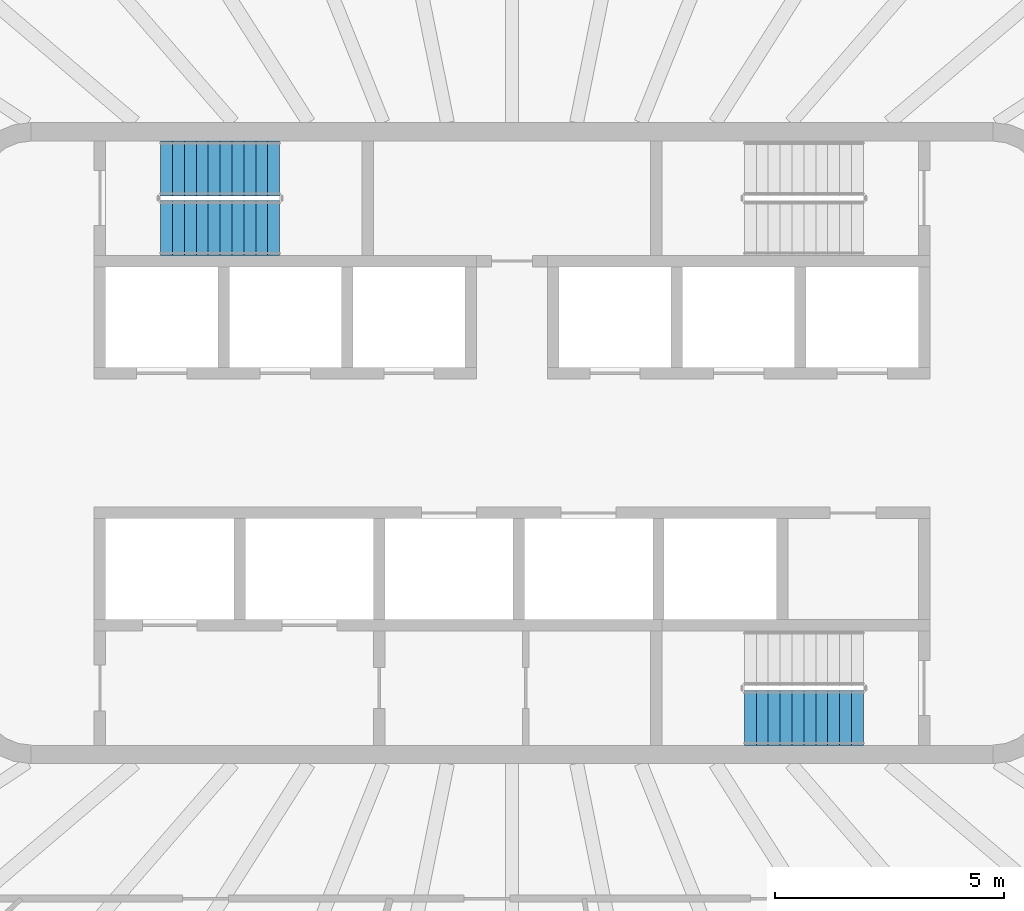
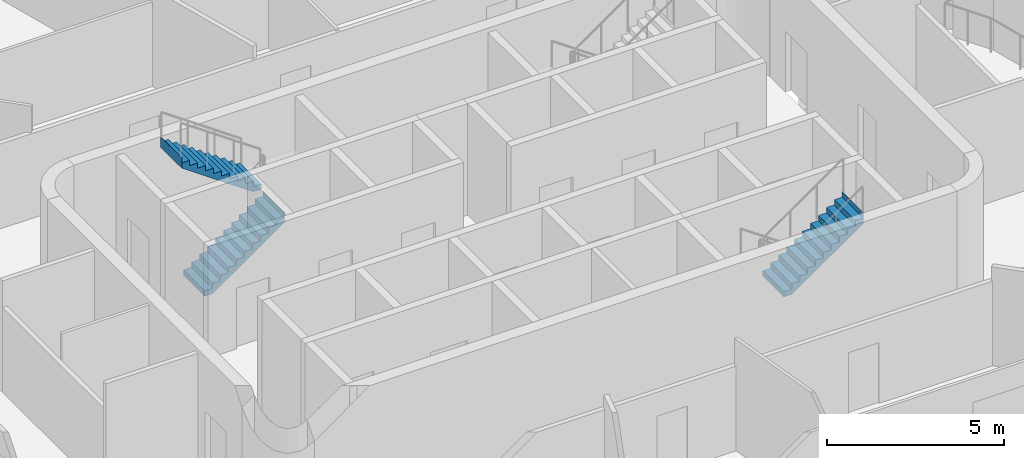
# One storey, part 11 of 17: 3 stair flights, 2 elements without a shape of their own.
"""IFC4 building model written with IfcOpenShell, lengths in metres."""

from ifc_helpers import new_model, si_unit, direction, frame, origin, place, context, subcontext, project, spatial, triangles, material, type_object, element, aggregate, save


model = new_model("IFC4")

# Units and contexts
model_context = context("Model", 3, precision=1e-05, world=origin(), true_north=direction((0.0, 1.0)))
body_context = subcontext(model_context, "Body", "Model", "MODEL_VIEW")
ifc_project = project(units=[si_unit("LENGTHUNIT", "METRE"), si_unit("AREAUNIT", "SQUARE_METRE"), si_unit("VOLUMEUNIT", "CUBIC_METRE"), si_unit("PLANEANGLEUNIT", "RADIAN"), si_unit("MASSUNIT", "GRAM", prefix="KILO")], contexts=[model_context])

# Site, building, storey
site_placement = place(None, origin())
site = spatial("IfcSite", under=ifc_project, at=site_placement, CompositionType="ELEMENT")
building_placement = place(site_placement, origin())
building = spatial("IfcBuilding", under=site, at=building_placement, Name="Sahrelin Media Tower", CompositionType="ELEMENT")
storey_placement = place(building_placement, frame((0.0, 0.0, 291.0)))
storey = spatial("IfcBuildingStorey", under=building, at=storey_placement, Name="L64", CompositionType="ELEMENT", Elevation=291.0)

# Stair, stair flights
ifc_material = material(Name="Concrete C40/50", Category="concrete")
stair_type = type_object("IfcStairType", Name="Exit stair 1200", PredefinedType="HALF_TURN_STAIR", material=ifc_material)
placement = place(storey_placement, origin())
stair_1 = element("IfcStair", 1, at=placement, inside=storey, type_object=stair_type, Name="L64 Exit stair ST1", PredefinedType="HALF_TURN_STAIR")
stair_flight_type = type_object("IfcStairFlightType", Name="Stair flight 1200", PredefinedType="STRAIGHT", material=ifc_material)
stair_flight_1_placement = place(storey_placement, frame((-7.675048828125, 4.699951171875, 0.0), z_axis=(0.0, 0.0, 1.0), x_axis=(1.0, 0.0, 0.0)))
stair_flight_1 = element("IfcStairFlight", 2, at=stair_flight_1_placement, type_object=stair_flight_type, Name="ST1 flight 1", NumberOfRisers=11, NumberOfTreads=10, PredefinedType="STRAIGHT", RiserHeight=0.181818182, TreadLength=0.26, context=body_context, shape_type="Tessellation", body=[
    triangles([(0.261474609375, 0.60009765625, 0.0), (0.261474609375, 0.300048828125, 0.0), (0.261474609375, 0.0, 0.0), (0.261474609375, -0.300048828125, 0.0), (0.261474609375, -0.60009765625, 0.0), (2.60009765625, 0.60009765625, 1.63525390625), (2.60009765625, 0.300048828125, 1.63525390625), (2.60009765625, 0.0, 1.63525390625), (2.60009765625, -0.300048828125, 1.63525390625), (2.60009765625, -0.60009765625, 1.63525390625), (2.60009765625, 0.60009765625, 2.0), (2.60009765625, 0.300048828125, 2.0), (2.60009765625, 0.0, 2.0), (2.60009765625, -0.300048828125, 2.0), (2.60009765625, -0.60009765625, 2.0), (2.597900390625, 0.60009765625, 2.0), (2.597900390625, 0.300048828125, 2.0), (2.597900390625, 0.0, 2.0), (2.597900390625, -0.300048828125, 2.0), (2.597900390625, -0.60009765625, 2.0), (2.597900390625, 0.60009765625, 1.818115234375), (2.597900390625, 0.300048828125, 1.818115234375), (2.597900390625, 0.0, 1.818115234375), (2.597900390625, -0.300048828125, 1.818115234375), (2.597900390625, -0.60009765625, 1.818115234375), (2.340087890625, 0.60009765625, 1.818115234375), (2.340087890625, 0.300048828125, 1.818115234375), (2.340087890625, 0.0, 1.818115234375), (2.340087890625, -0.300048828125, 1.818115234375), (2.340087890625, -0.60009765625, 1.818115234375), (2.340087890625, 0.60009765625, 1.636474609375), (2.340087890625, 0.300048828125, 1.636474609375), (2.340087890625, 0.0, 1.636474609375), (2.340087890625, -0.300048828125, 1.636474609375), (2.340087890625, -0.60009765625, 1.636474609375), (2.080078125, 0.60009765625, 1.636474609375), (2.080078125, 0.300048828125, 1.636474609375), (2.080078125, 0.0, 1.636474609375), (2.080078125, -0.300048828125, 1.636474609375), (2.080078125, -0.60009765625, 1.636474609375), (2.080078125, 0.60009765625, 1.45458984375), (2.080078125, 0.300048828125, 1.45458984375), (2.080078125, 0.0, 1.45458984375), (2.080078125, -0.300048828125, 1.45458984375), (2.080078125, -0.60009765625, 1.45458984375), (1.820068359375, 0.60009765625, 1.45458984375), (1.820068359375, 0.300048828125, 1.45458984375), (1.820068359375, 0.0, 1.45458984375), (1.820068359375, -0.300048828125, 1.45458984375), (1.820068359375, -0.60009765625, 1.45458984375), (1.820068359375, 0.60009765625, 1.272705078125), (1.820068359375, 0.300048828125, 1.272705078125), (1.820068359375, 0.0, 1.272705078125), (1.820068359375, -0.300048828125, 1.272705078125), (1.820068359375, -0.60009765625, 1.272705078125), (1.56005859375, 0.60009765625, 1.272705078125), (1.56005859375, 0.300048828125, 1.272705078125), (1.56005859375, 0.0, 1.272705078125), (1.56005859375, -0.300048828125, 1.272705078125), (1.56005859375, -0.60009765625, 1.272705078125), (1.56005859375, 0.60009765625, 1.0908203125), (1.56005859375, 0.300048828125, 1.0908203125), (1.56005859375, 0.0, 1.0908203125), (1.56005859375, -0.300048828125, 1.0908203125), (1.56005859375, -0.60009765625, 1.0908203125), (1.300048828125, 0.60009765625, 1.0908203125), (1.300048828125, 0.300048828125, 1.0908203125), (1.300048828125, 0.0, 1.0908203125), (1.300048828125, -0.300048828125, 1.0908203125), (1.300048828125, -0.60009765625, 1.0908203125), (1.300048828125, 0.60009765625, 0.9091796875), (1.300048828125, 0.300048828125, 0.9091796875), (1.300048828125, 0.0, 0.9091796875), (1.300048828125, -0.300048828125, 0.9091796875), (1.300048828125, -0.60009765625, 0.9091796875), (1.0400390625, 0.60009765625, 0.9091796875), (1.0400390625, 0.300048828125, 0.9091796875), (1.0400390625, 0.0, 0.9091796875), (1.0400390625, -0.300048828125, 0.9091796875), (1.0400390625, -0.60009765625, 0.9091796875), (1.0400390625, 0.60009765625, 0.727294921875), (1.0400390625, 0.300048828125, 0.727294921875), (1.0400390625, 0.0, 0.727294921875), (1.0400390625, -0.300048828125, 0.727294921875), (1.0400390625, -0.60009765625, 0.727294921875), (0.780029296875, 0.60009765625, 0.727294921875), (0.780029296875, 0.300048828125, 0.727294921875), (0.780029296875, 0.0, 0.727294921875), (0.780029296875, -0.300048828125, 0.727294921875), (0.780029296875, -0.60009765625, 0.727294921875), (0.780029296875, 0.60009765625, 0.54541015625), (0.780029296875, 0.300048828125, 0.54541015625), (0.780029296875, 0.0, 0.54541015625), (0.780029296875, -0.300048828125, 0.54541015625), (0.780029296875, -0.60009765625, 0.54541015625), (0.52001953125, 0.60009765625, 0.54541015625), (0.52001953125, 0.300048828125, 0.54541015625), (0.52001953125, 0.0, 0.54541015625), (0.52001953125, -0.300048828125, 0.54541015625), (0.52001953125, -0.60009765625, 0.54541015625), (0.52001953125, 0.60009765625, 0.363525390625), (0.52001953125, 0.300048828125, 0.363525390625), (0.52001953125, 0.0, 0.363525390625), (0.52001953125, -0.300048828125, 0.363525390625), (0.52001953125, -0.60009765625, 0.363525390625), (0.260009765625, 0.60009765625, 0.363525390625), (0.260009765625, 0.300048828125, 0.363525390625), (0.260009765625, 0.0, 0.363525390625), (0.260009765625, -0.300048828125, 0.363525390625), (0.260009765625, -0.60009765625, 0.363525390625), (0.260009765625, 0.60009765625, 0.181884765625), (0.260009765625, 0.300048828125, 0.181884765625), (0.260009765625, 0.0, 0.181884765625), (0.260009765625, -0.300048828125, 0.181884765625), (0.260009765625, -0.60009765625, 0.181884765625), (0.0, 0.60009765625, 0.181884765625), (0.0, 0.300048828125, 0.181884765625), (0.0, 0.0, 0.181884765625), (0.0, -0.300048828125, 0.181884765625), (0.0, -0.60009765625, 0.181884765625), (0.0, 0.60009765625, 0.0), (0.0, 0.300048828125, 0.0), (0.0, 0.0, 0.0), (0.0, -0.300048828125, 0.0), (0.0, -0.60009765625, 0.0)], [[1, 6, 7], [1, 7, 2], [2, 7, 8], [2, 8, 3], [3, 8, 9], [3, 9, 4], [4, 9, 10], [4, 10, 5], [6, 11, 12], [6, 12, 7], [7, 12, 13], [7, 13, 8], [8, 13, 14], [8, 14, 9], [9, 14, 15], [9, 15, 10], [11, 16, 17], [11, 17, 12], [12, 17, 18], [12, 18, 13], [13, 18, 19], [13, 19, 14], [14, 19, 20], [14, 20, 15], [16, 21, 22], [16, 22, 17], [17, 22, 23], [17, 23, 18], [18, 23, 24], [18, 24, 19], [19, 24, 25], [19, 25, 20], [21, 26, 27], [21, 27, 22], [22, 27, 28], [22, 28, 23], [23, 28, 29], [23, 29, 24], [24, 29, 30], [24, 30, 25], [26, 31, 32], [26, 32, 27], [27, 32, 33], [27, 33, 28], [28, 33, 34], [28, 34, 29], [29, 34, 35], [29, 35, 30], [31, 36, 37], [31, 37, 32], [32, 37, 38], [32, 38, 33], [33, 38, 39], [33, 39, 34], [34, 39, 40], [34, 40, 35], [36, 41, 42], [36, 42, 37], [37, 42, 43], [37, 43, 38], [38, 43, 44], [38, 44, 39], [39, 44, 45], [39, 45, 40], [41, 46, 47], [41, 47, 42], [42, 47, 48], [42, 48, 43], [43, 48, 49], [43, 49, 44], [44, 49, 50], [44, 50, 45], [46, 51, 52], [46, 52, 47], [47, 52, 53], [47, 53, 48], [48, 53, 54], [48, 54, 49], [49, 54, 55], [49, 55, 50], [51, 56, 57], [51, 57, 52], [52, 57, 58], [52, 58, 53], [53, 58, 59], [53, 59, 54], [54, 59, 60], [54, 60, 55], [56, 61, 62], [56, 62, 57], [57, 62, 63], [57, 63, 58], [58, 63, 64], [58, 64, 59], [59, 64, 65], [59, 65, 60], [61, 66, 67], [61, 67, 62], [62, 67, 68], [62, 68, 63], [63, 68, 69], [63, 69, 64], [64, 69, 70], [64, 70, 65], [66, 71, 72], [66, 72, 67], [67, 72, 73], [67, 73, 68], [68, 73, 74], [68, 74, 69], [69, 74, 75], [69, 75, 70], [71, 76, 77], [71, 77, 72], [72, 77, 78], [72, 78, 73], [73, 78, 79], [73, 79, 74], [74, 79, 80], [74, 80, 75], [76, 81, 82], [76, 82, 77], [77, 82, 83], [77, 83, 78], [78, 83, 84], [78, 84, 79], [79, 84, 85], [79, 85, 80], [81, 86, 87], [81, 87, 82], [82, 87, 88], [82, 88, 83], [83, 88, 89], [83, 89, 84], [84, 89, 90], [84, 90, 85], [86, 91, 92], [86, 92, 87], [87, 92, 93], [87, 93, 88], [88, 93, 94], [88, 94, 89], [89, 94, 95], [89, 95, 90], [91, 96, 97], [91, 97, 92], [92, 97, 98], [92, 98, 93], [93, 98, 99], [93, 99, 94], [94, 99, 100], [94, 100, 95], [96, 101, 102], [96, 102, 97], [97, 102, 103], [97, 103, 98], [98, 103, 104], [98, 104, 99], [99, 104, 105], [99, 105, 100], [101, 106, 107], [101, 107, 102], [102, 107, 108], [102, 108, 103], [103, 108, 109], [103, 109, 104], [104, 109, 110], [104, 110, 105], [106, 111, 112], [106, 112, 107], [107, 112, 113], [107, 113, 108], [108, 113, 114], [108, 114, 109], [109, 114, 115], [109, 115, 110], [111, 116, 117], [111, 117, 112], [112, 117, 118], [112, 118, 113], [113, 118, 119], [113, 119, 114], [114, 119, 120], [114, 120, 115], [116, 121, 122], [116, 122, 117], [117, 122, 123], [117, 123, 118], [118, 123, 124], [118, 124, 119], [119, 124, 125], [119, 125, 120], [121, 1, 2], [121, 2, 122], [122, 2, 3], [122, 3, 123], [123, 3, 4], [123, 4, 124], [124, 4, 5], [124, 5, 125], [115, 120, 125], [111, 121, 116], [115, 105, 110], [111, 106, 101], [105, 95, 100], [101, 96, 91], [95, 85, 90], [91, 86, 81], [85, 75, 80], [81, 76, 71], [75, 65, 70], [71, 66, 61], [65, 55, 60], [61, 56, 51], [55, 45, 50], [51, 46, 41], [45, 35, 40], [41, 36, 31], [35, 25, 30], [31, 26, 21], [25, 15, 20], [21, 16, 11], [125, 5, 115], [121, 111, 1], [25, 10, 15], [21, 11, 6], [105, 115, 5], [101, 1, 111], [35, 10, 25], [31, 21, 6], [95, 105, 5], [91, 1, 101], [45, 10, 35], [41, 31, 6], [85, 95, 5], [81, 1, 91], [55, 10, 45], [51, 41, 6], [75, 85, 5], [71, 1, 81], [65, 10, 55], [61, 51, 6], [5, 10, 75], [1, 71, 6], [75, 10, 65], [71, 61, 6]], closed=True),
])
stair_flight_2_placement = place(storey_placement, frame((-5.074951171875, 6.0, 2.0), z_axis=(0.0, 0.0, 1.0), x_axis=(-1.0, 0.0, 0.0)))
stair_flight_2 = element("IfcStairFlight", 3, at=stair_flight_2_placement, type_object=stair_flight_type, Name="ST1 flight 2", NumberOfRisers=11, NumberOfTreads=10, PredefinedType="STRAIGHT", RiserHeight=0.181818182, TreadLength=0.26, context=body_context, shape_type="Tessellation", body=[
    triangles([(0.261474609375, 0.60009765625, 0.0), (0.261474609375, 0.300048828125, 0.0), (0.261474609375, 0.0, 0.0), (0.261474609375, -0.300048828125, 0.0), (0.261474609375, -0.60009765625, 0.0), (2.60009765625, 0.60009765625, 1.63525390625), (2.60009765625, 0.300048828125, 1.63525390625), (2.60009765625, 0.0, 1.63525390625), (2.60009765625, -0.300048828125, 1.63525390625), (2.60009765625, -0.60009765625, 1.63525390625), (2.60009765625, 0.60009765625, 2.0), (2.60009765625, 0.300048828125, 2.0), (2.60009765625, 0.0, 2.0), (2.60009765625, -0.300048828125, 2.0), (2.60009765625, -0.60009765625, 2.0), (2.597900390625, 0.60009765625, 2.0), (2.597900390625, 0.300048828125, 2.0), (2.597900390625, 0.0, 2.0), (2.597900390625, -0.300048828125, 2.0), (2.597900390625, -0.60009765625, 2.0), (2.597900390625, 0.60009765625, 1.818115234375), (2.597900390625, 0.300048828125, 1.818115234375), (2.597900390625, 0.0, 1.818115234375), (2.597900390625, -0.300048828125, 1.818115234375), (2.597900390625, -0.60009765625, 1.818115234375), (2.340087890625, 0.60009765625, 1.818115234375), (2.340087890625, 0.300048828125, 1.818115234375), (2.340087890625, 0.0, 1.818115234375), (2.340087890625, -0.300048828125, 1.818115234375), (2.340087890625, -0.60009765625, 1.818115234375), (2.340087890625, 0.60009765625, 1.636474609375), (2.340087890625, 0.300048828125, 1.636474609375), (2.340087890625, 0.0, 1.636474609375), (2.340087890625, -0.300048828125, 1.636474609375), (2.340087890625, -0.60009765625, 1.636474609375), (2.080078125, 0.60009765625, 1.636474609375), (2.080078125, 0.300048828125, 1.636474609375), (2.080078125, 0.0, 1.636474609375), (2.080078125, -0.300048828125, 1.636474609375), (2.080078125, -0.60009765625, 1.636474609375), (2.080078125, 0.60009765625, 1.45458984375), (2.080078125, 0.300048828125, 1.45458984375), (2.080078125, 0.0, 1.45458984375), (2.080078125, -0.300048828125, 1.45458984375), (2.080078125, -0.60009765625, 1.45458984375), (1.820068359375, 0.60009765625, 1.45458984375), (1.820068359375, 0.300048828125, 1.45458984375), (1.820068359375, 0.0, 1.45458984375), (1.820068359375, -0.300048828125, 1.45458984375), (1.820068359375, -0.60009765625, 1.45458984375), (1.820068359375, 0.60009765625, 1.272705078125), (1.820068359375, 0.300048828125, 1.272705078125), (1.820068359375, 0.0, 1.272705078125), (1.820068359375, -0.300048828125, 1.272705078125), (1.820068359375, -0.60009765625, 1.272705078125), (1.56005859375, 0.60009765625, 1.272705078125), (1.56005859375, 0.300048828125, 1.272705078125), (1.56005859375, 0.0, 1.272705078125), (1.56005859375, -0.300048828125, 1.272705078125), (1.56005859375, -0.60009765625, 1.272705078125), (1.56005859375, 0.60009765625, 1.0908203125), (1.56005859375, 0.300048828125, 1.0908203125), (1.56005859375, 0.0, 1.0908203125), (1.56005859375, -0.300048828125, 1.0908203125), (1.56005859375, -0.60009765625, 1.0908203125), (1.300048828125, 0.60009765625, 1.0908203125), (1.300048828125, 0.300048828125, 1.0908203125), (1.300048828125, 0.0, 1.0908203125), (1.300048828125, -0.300048828125, 1.0908203125), (1.300048828125, -0.60009765625, 1.0908203125), (1.300048828125, 0.60009765625, 0.9091796875), (1.300048828125, 0.300048828125, 0.9091796875), (1.300048828125, 0.0, 0.9091796875), (1.300048828125, -0.300048828125, 0.9091796875), (1.300048828125, -0.60009765625, 0.9091796875), (1.0400390625, 0.60009765625, 0.9091796875), (1.0400390625, 0.300048828125, 0.9091796875), (1.0400390625, 0.0, 0.9091796875), (1.0400390625, -0.300048828125, 0.9091796875), (1.0400390625, -0.60009765625, 0.9091796875), (1.0400390625, 0.60009765625, 0.727294921875), (1.0400390625, 0.300048828125, 0.727294921875), (1.0400390625, 0.0, 0.727294921875), (1.0400390625, -0.300048828125, 0.727294921875), (1.0400390625, -0.60009765625, 0.727294921875), (0.780029296875, 0.60009765625, 0.727294921875), (0.780029296875, 0.300048828125, 0.727294921875), (0.780029296875, 0.0, 0.727294921875), (0.780029296875, -0.300048828125, 0.727294921875), (0.780029296875, -0.60009765625, 0.727294921875), (0.780029296875, 0.60009765625, 0.54541015625), (0.780029296875, 0.300048828125, 0.54541015625), (0.780029296875, 0.0, 0.54541015625), (0.780029296875, -0.300048828125, 0.54541015625), (0.780029296875, -0.60009765625, 0.54541015625), (0.52001953125, 0.60009765625, 0.54541015625), (0.52001953125, 0.300048828125, 0.54541015625), (0.52001953125, 0.0, 0.54541015625), (0.52001953125, -0.300048828125, 0.54541015625), (0.52001953125, -0.60009765625, 0.54541015625), (0.52001953125, 0.60009765625, 0.363525390625), (0.52001953125, 0.300048828125, 0.363525390625), (0.52001953125, 0.0, 0.363525390625), (0.52001953125, -0.300048828125, 0.363525390625), (0.52001953125, -0.60009765625, 0.363525390625), (0.260009765625, 0.60009765625, 0.363525390625), (0.260009765625, 0.300048828125, 0.363525390625), (0.260009765625, 0.0, 0.363525390625), (0.260009765625, -0.300048828125, 0.363525390625), (0.260009765625, -0.60009765625, 0.363525390625), (0.260009765625, 0.60009765625, 0.181884765625), (0.260009765625, 0.300048828125, 0.181884765625), (0.260009765625, 0.0, 0.181884765625), (0.260009765625, -0.300048828125, 0.181884765625), (0.260009765625, -0.60009765625, 0.181884765625), (0.0, 0.60009765625, 0.181884765625), (0.0, 0.300048828125, 0.181884765625), (0.0, 0.0, 0.181884765625), (0.0, -0.300048828125, 0.181884765625), (0.0, -0.60009765625, 0.181884765625), (0.0, 0.60009765625, 0.0), (0.0, 0.300048828125, 0.0), (0.0, 0.0, 0.0), (0.0, -0.300048828125, 0.0), (0.0, -0.60009765625, 0.0)], [[1, 6, 7], [1, 7, 2], [2, 7, 8], [2, 8, 3], [3, 8, 9], [3, 9, 4], [4, 9, 10], [4, 10, 5], [6, 11, 12], [6, 12, 7], [7, 12, 13], [7, 13, 8], [8, 13, 14], [8, 14, 9], [9, 14, 15], [9, 15, 10], [11, 16, 17], [11, 17, 12], [12, 17, 18], [12, 18, 13], [13, 18, 19], [13, 19, 14], [14, 19, 20], [14, 20, 15], [16, 21, 22], [16, 22, 17], [17, 22, 23], [17, 23, 18], [18, 23, 24], [18, 24, 19], [19, 24, 25], [19, 25, 20], [21, 26, 27], [21, 27, 22], [22, 27, 28], [22, 28, 23], [23, 28, 29], [23, 29, 24], [24, 29, 30], [24, 30, 25], [26, 31, 32], [26, 32, 27], [27, 32, 33], [27, 33, 28], [28, 33, 34], [28, 34, 29], [29, 34, 35], [29, 35, 30], [31, 36, 37], [31, 37, 32], [32, 37, 38], [32, 38, 33], [33, 38, 39], [33, 39, 34], [34, 39, 40], [34, 40, 35], [36, 41, 42], [36, 42, 37], [37, 42, 43], [37, 43, 38], [38, 43, 44], [38, 44, 39], [39, 44, 45], [39, 45, 40], [41, 46, 47], [41, 47, 42], [42, 47, 48], [42, 48, 43], [43, 48, 49], [43, 49, 44], [44, 49, 50], [44, 50, 45], [46, 51, 52], [46, 52, 47], [47, 52, 53], [47, 53, 48], [48, 53, 54], [48, 54, 49], [49, 54, 55], [49, 55, 50], [51, 56, 57], [51, 57, 52], [52, 57, 58], [52, 58, 53], [53, 58, 59], [53, 59, 54], [54, 59, 60], [54, 60, 55], [56, 61, 62], [56, 62, 57], [57, 62, 63], [57, 63, 58], [58, 63, 64], [58, 64, 59], [59, 64, 65], [59, 65, 60], [61, 66, 67], [61, 67, 62], [62, 67, 68], [62, 68, 63], [63, 68, 69], [63, 69, 64], [64, 69, 70], [64, 70, 65], [66, 71, 72], [66, 72, 67], [67, 72, 73], [67, 73, 68], [68, 73, 74], [68, 74, 69], [69, 74, 75], [69, 75, 70], [71, 76, 77], [71, 77, 72], [72, 77, 78], [72, 78, 73], [73, 78, 79], [73, 79, 74], [74, 79, 80], [74, 80, 75], [76, 81, 82], [76, 82, 77], [77, 82, 83], [77, 83, 78], [78, 83, 84], [78, 84, 79], [79, 84, 85], [79, 85, 80], [81, 86, 87], [81, 87, 82], [82, 87, 88], [82, 88, 83], [83, 88, 89], [83, 89, 84], [84, 89, 90], [84, 90, 85], [86, 91, 92], [86, 92, 87], [87, 92, 93], [87, 93, 88], [88, 93, 94], [88, 94, 89], [89, 94, 95], [89, 95, 90], [91, 96, 97], [91, 97, 92], [92, 97, 98], [92, 98, 93], [93, 98, 99], [93, 99, 94], [94, 99, 100], [94, 100, 95], [96, 101, 102], [96, 102, 97], [97, 102, 103], [97, 103, 98], [98, 103, 104], [98, 104, 99], [99, 104, 105], [99, 105, 100], [101, 106, 107], [101, 107, 102], [102, 107, 108], [102, 108, 103], [103, 108, 109], [103, 109, 104], [104, 109, 110], [104, 110, 105], [106, 111, 112], [106, 112, 107], [107, 112, 113], [107, 113, 108], [108, 113, 114], [108, 114, 109], [109, 114, 115], [109, 115, 110], [111, 116, 117], [111, 117, 112], [112, 117, 118], [112, 118, 113], [113, 118, 119], [113, 119, 114], [114, 119, 120], [114, 120, 115], [116, 121, 122], [116, 122, 117], [117, 122, 123], [117, 123, 118], [118, 123, 124], [118, 124, 119], [119, 124, 125], [119, 125, 120], [121, 1, 2], [121, 2, 122], [122, 2, 3], [122, 3, 123], [123, 3, 4], [123, 4, 124], [124, 4, 5], [124, 5, 125], [115, 120, 125], [111, 121, 116], [115, 105, 110], [111, 106, 101], [105, 95, 100], [101, 96, 91], [95, 85, 90], [91, 86, 81], [85, 75, 80], [81, 76, 71], [75, 65, 70], [71, 66, 61], [65, 55, 60], [61, 56, 51], [55, 45, 50], [51, 46, 41], [45, 35, 40], [41, 36, 31], [35, 25, 30], [31, 26, 21], [25, 15, 20], [21, 16, 11], [125, 5, 115], [121, 111, 1], [25, 10, 15], [21, 11, 6], [105, 115, 5], [101, 1, 111], [35, 10, 25], [31, 21, 6], [95, 105, 5], [91, 1, 101], [45, 10, 35], [41, 31, 6], [85, 95, 5], [81, 1, 91], [55, 10, 45], [51, 41, 6], [75, 85, 5], [71, 1, 81], [65, 10, 55], [61, 51, 6], [5, 10, 75], [1, 71, 6], [75, 10, 65], [71, 61, 6]], closed=True),
])
aggregate(stair_1, [stair_flight_1, stair_flight_2])

# Stair, stair flight
stair_2 = element("IfcStair", 4, at=placement, inside=storey, type_object=stair_type, Name="L64 Exit stair ST2", PredefinedType="HALF_TURN_STAIR")
stair_flight_3_placement = place(storey_placement, frame((5.074951171875, -6.0, 2.0), z_axis=(0.0, 0.0, 1.0), x_axis=(1.0, 0.0, 0.0)))
stair_flight_3 = element("IfcStairFlight", 5, at=stair_flight_3_placement, type_object=stair_flight_type, Name="ST2 flight 2", NumberOfRisers=11, NumberOfTreads=10, PredefinedType="STRAIGHT", RiserHeight=0.181818182, TreadLength=0.26, context=body_context, shape_type="Tessellation", body=[
    triangles([(0.261474609375, 0.60009765625, 0.0), (0.261474609375, 0.300048828125, 0.0), (0.261474609375, 0.0, 0.0), (0.261474609375, -0.300048828125, 0.0), (0.261474609375, -0.60009765625, 0.0), (2.60009765625, 0.60009765625, 1.63525390625), (2.60009765625, 0.300048828125, 1.63525390625), (2.60009765625, 0.0, 1.63525390625), (2.60009765625, -0.300048828125, 1.63525390625), (2.60009765625, -0.60009765625, 1.63525390625), (2.60009765625, 0.60009765625, 2.0), (2.60009765625, 0.300048828125, 2.0), (2.60009765625, 0.0, 2.0), (2.60009765625, -0.300048828125, 2.0), (2.60009765625, -0.60009765625, 2.0), (2.597900390625, 0.60009765625, 2.0), (2.597900390625, 0.300048828125, 2.0), (2.597900390625, 0.0, 2.0), (2.597900390625, -0.300048828125, 2.0), (2.597900390625, -0.60009765625, 2.0), (2.597900390625, 0.60009765625, 1.818115234375), (2.597900390625, 0.300048828125, 1.818115234375), (2.597900390625, 0.0, 1.818115234375), (2.597900390625, -0.300048828125, 1.818115234375), (2.597900390625, -0.60009765625, 1.818115234375), (2.340087890625, 0.60009765625, 1.818115234375), (2.340087890625, 0.300048828125, 1.818115234375), (2.340087890625, 0.0, 1.818115234375), (2.340087890625, -0.300048828125, 1.818115234375), (2.340087890625, -0.60009765625, 1.818115234375), (2.340087890625, 0.60009765625, 1.636474609375), (2.340087890625, 0.300048828125, 1.636474609375), (2.340087890625, 0.0, 1.636474609375), (2.340087890625, -0.300048828125, 1.636474609375), (2.340087890625, -0.60009765625, 1.636474609375), (2.080078125, 0.60009765625, 1.636474609375), (2.080078125, 0.300048828125, 1.636474609375), (2.080078125, 0.0, 1.636474609375), (2.080078125, -0.300048828125, 1.636474609375), (2.080078125, -0.60009765625, 1.636474609375), (2.080078125, 0.60009765625, 1.45458984375), (2.080078125, 0.300048828125, 1.45458984375), (2.080078125, 0.0, 1.45458984375), (2.080078125, -0.300048828125, 1.45458984375), (2.080078125, -0.60009765625, 1.45458984375), (1.820068359375, 0.60009765625, 1.45458984375), (1.820068359375, 0.300048828125, 1.45458984375), (1.820068359375, 0.0, 1.45458984375), (1.820068359375, -0.300048828125, 1.45458984375), (1.820068359375, -0.60009765625, 1.45458984375), (1.820068359375, 0.60009765625, 1.272705078125), (1.820068359375, 0.300048828125, 1.272705078125), (1.820068359375, 0.0, 1.272705078125), (1.820068359375, -0.300048828125, 1.272705078125), (1.820068359375, -0.60009765625, 1.272705078125), (1.56005859375, 0.60009765625, 1.272705078125), (1.56005859375, 0.300048828125, 1.272705078125), (1.56005859375, 0.0, 1.272705078125), (1.56005859375, -0.300048828125, 1.272705078125), (1.56005859375, -0.60009765625, 1.272705078125), (1.56005859375, 0.60009765625, 1.0908203125), (1.56005859375, 0.300048828125, 1.0908203125), (1.56005859375, 0.0, 1.0908203125), (1.56005859375, -0.300048828125, 1.0908203125), (1.56005859375, -0.60009765625, 1.0908203125), (1.300048828125, 0.60009765625, 1.0908203125), (1.300048828125, 0.300048828125, 1.0908203125), (1.300048828125, 0.0, 1.0908203125), (1.300048828125, -0.300048828125, 1.0908203125), (1.300048828125, -0.60009765625, 1.0908203125), (1.300048828125, 0.60009765625, 0.9091796875), (1.300048828125, 0.300048828125, 0.9091796875), (1.300048828125, 0.0, 0.9091796875), (1.300048828125, -0.300048828125, 0.9091796875), (1.300048828125, -0.60009765625, 0.9091796875), (1.0400390625, 0.60009765625, 0.9091796875), (1.0400390625, 0.300048828125, 0.9091796875), (1.0400390625, 0.0, 0.9091796875), (1.0400390625, -0.300048828125, 0.9091796875), (1.0400390625, -0.60009765625, 0.9091796875), (1.0400390625, 0.60009765625, 0.727294921875), (1.0400390625, 0.300048828125, 0.727294921875), (1.0400390625, 0.0, 0.727294921875), (1.0400390625, -0.300048828125, 0.727294921875), (1.0400390625, -0.60009765625, 0.727294921875), (0.780029296875, 0.60009765625, 0.727294921875), (0.780029296875, 0.300048828125, 0.727294921875), (0.780029296875, 0.0, 0.727294921875), (0.780029296875, -0.300048828125, 0.727294921875), (0.780029296875, -0.60009765625, 0.727294921875), (0.780029296875, 0.60009765625, 0.54541015625), (0.780029296875, 0.300048828125, 0.54541015625), (0.780029296875, 0.0, 0.54541015625), (0.780029296875, -0.300048828125, 0.54541015625), (0.780029296875, -0.60009765625, 0.54541015625), (0.52001953125, 0.60009765625, 0.54541015625), (0.52001953125, 0.300048828125, 0.54541015625), (0.52001953125, 0.0, 0.54541015625), (0.52001953125, -0.300048828125, 0.54541015625), (0.52001953125, -0.60009765625, 0.54541015625), (0.52001953125, 0.60009765625, 0.363525390625), (0.52001953125, 0.300048828125, 0.363525390625), (0.52001953125, 0.0, 0.363525390625), (0.52001953125, -0.300048828125, 0.363525390625), (0.52001953125, -0.60009765625, 0.363525390625), (0.260009765625, 0.60009765625, 0.363525390625), (0.260009765625, 0.300048828125, 0.363525390625), (0.260009765625, 0.0, 0.363525390625), (0.260009765625, -0.300048828125, 0.363525390625), (0.260009765625, -0.60009765625, 0.363525390625), (0.260009765625, 0.60009765625, 0.181884765625), (0.260009765625, 0.300048828125, 0.181884765625), (0.260009765625, 0.0, 0.181884765625), (0.260009765625, -0.300048828125, 0.181884765625), (0.260009765625, -0.60009765625, 0.181884765625), (0.0, 0.60009765625, 0.181884765625), (0.0, 0.300048828125, 0.181884765625), (0.0, 0.0, 0.181884765625), (0.0, -0.300048828125, 0.181884765625), (0.0, -0.60009765625, 0.181884765625), (0.0, 0.60009765625, 0.0), (0.0, 0.300048828125, 0.0), (0.0, 0.0, 0.0), (0.0, -0.300048828125, 0.0), (0.0, -0.60009765625, 0.0)], [[1, 6, 7], [1, 7, 2], [2, 7, 8], [2, 8, 3], [3, 8, 9], [3, 9, 4], [4, 9, 10], [4, 10, 5], [6, 11, 12], [6, 12, 7], [7, 12, 13], [7, 13, 8], [8, 13, 14], [8, 14, 9], [9, 14, 15], [9, 15, 10], [11, 16, 17], [11, 17, 12], [12, 17, 18], [12, 18, 13], [13, 18, 19], [13, 19, 14], [14, 19, 20], [14, 20, 15], [16, 21, 22], [16, 22, 17], [17, 22, 23], [17, 23, 18], [18, 23, 24], [18, 24, 19], [19, 24, 25], [19, 25, 20], [21, 26, 27], [21, 27, 22], [22, 27, 28], [22, 28, 23], [23, 28, 29], [23, 29, 24], [24, 29, 30], [24, 30, 25], [26, 31, 32], [26, 32, 27], [27, 32, 33], [27, 33, 28], [28, 33, 34], [28, 34, 29], [29, 34, 35], [29, 35, 30], [31, 36, 37], [31, 37, 32], [32, 37, 38], [32, 38, 33], [33, 38, 39], [33, 39, 34], [34, 39, 40], [34, 40, 35], [36, 41, 42], [36, 42, 37], [37, 42, 43], [37, 43, 38], [38, 43, 44], [38, 44, 39], [39, 44, 45], [39, 45, 40], [41, 46, 47], [41, 47, 42], [42, 47, 48], [42, 48, 43], [43, 48, 49], [43, 49, 44], [44, 49, 50], [44, 50, 45], [46, 51, 52], [46, 52, 47], [47, 52, 53], [47, 53, 48], [48, 53, 54], [48, 54, 49], [49, 54, 55], [49, 55, 50], [51, 56, 57], [51, 57, 52], [52, 57, 58], [52, 58, 53], [53, 58, 59], [53, 59, 54], [54, 59, 60], [54, 60, 55], [56, 61, 62], [56, 62, 57], [57, 62, 63], [57, 63, 58], [58, 63, 64], [58, 64, 59], [59, 64, 65], [59, 65, 60], [61, 66, 67], [61, 67, 62], [62, 67, 68], [62, 68, 63], [63, 68, 69], [63, 69, 64], [64, 69, 70], [64, 70, 65], [66, 71, 72], [66, 72, 67], [67, 72, 73], [67, 73, 68], [68, 73, 74], [68, 74, 69], [69, 74, 75], [69, 75, 70], [71, 76, 77], [71, 77, 72], [72, 77, 78], [72, 78, 73], [73, 78, 79], [73, 79, 74], [74, 79, 80], [74, 80, 75], [76, 81, 82], [76, 82, 77], [77, 82, 83], [77, 83, 78], [78, 83, 84], [78, 84, 79], [79, 84, 85], [79, 85, 80], [81, 86, 87], [81, 87, 82], [82, 87, 88], [82, 88, 83], [83, 88, 89], [83, 89, 84], [84, 89, 90], [84, 90, 85], [86, 91, 92], [86, 92, 87], [87, 92, 93], [87, 93, 88], [88, 93, 94], [88, 94, 89], [89, 94, 95], [89, 95, 90], [91, 96, 97], [91, 97, 92], [92, 97, 98], [92, 98, 93], [93, 98, 99], [93, 99, 94], [94, 99, 100], [94, 100, 95], [96, 101, 102], [96, 102, 97], [97, 102, 103], [97, 103, 98], [98, 103, 104], [98, 104, 99], [99, 104, 105], [99, 105, 100], [101, 106, 107], [101, 107, 102], [102, 107, 108], [102, 108, 103], [103, 108, 109], [103, 109, 104], [104, 109, 110], [104, 110, 105], [106, 111, 112], [106, 112, 107], [107, 112, 113], [107, 113, 108], [108, 113, 114], [108, 114, 109], [109, 114, 115], [109, 115, 110], [111, 116, 117], [111, 117, 112], [112, 117, 118], [112, 118, 113], [113, 118, 119], [113, 119, 114], [114, 119, 120], [114, 120, 115], [116, 121, 122], [116, 122, 117], [117, 122, 123], [117, 123, 118], [118, 123, 124], [118, 124, 119], [119, 124, 125], [119, 125, 120], [121, 1, 2], [121, 2, 122], [122, 2, 3], [122, 3, 123], [123, 3, 4], [123, 4, 124], [124, 4, 5], [124, 5, 125], [115, 120, 125], [111, 121, 116], [115, 105, 110], [111, 106, 101], [105, 95, 100], [101, 96, 91], [95, 85, 90], [91, 86, 81], [85, 75, 80], [81, 76, 71], [75, 65, 70], [71, 66, 61], [65, 55, 60], [61, 56, 51], [55, 45, 50], [51, 46, 41], [45, 35, 40], [41, 36, 31], [35, 25, 30], [31, 26, 21], [25, 15, 20], [21, 16, 11], [125, 5, 115], [121, 111, 1], [25, 10, 15], [21, 11, 6], [105, 115, 5], [101, 1, 111], [35, 10, 25], [31, 21, 6], [95, 105, 5], [91, 1, 101], [45, 10, 35], [41, 31, 6], [85, 95, 5], [81, 1, 91], [55, 10, 45], [51, 41, 6], [75, 85, 5], [71, 1, 81], [65, 10, 55], [61, 51, 6], [5, 10, 75], [1, 71, 6], [75, 10, 65], [71, 61, 6]], closed=True),
])
aggregate(stair_2, [stair_flight_3])

save(model, "model.ifc")
